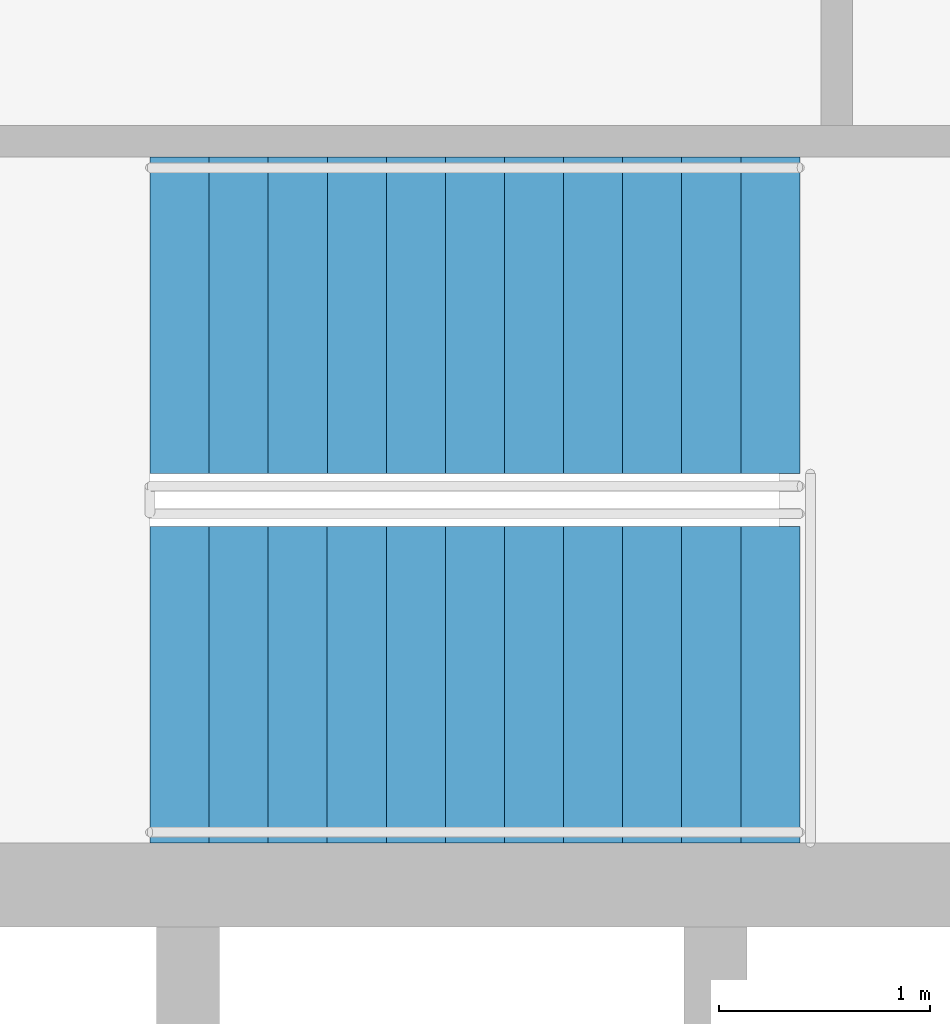
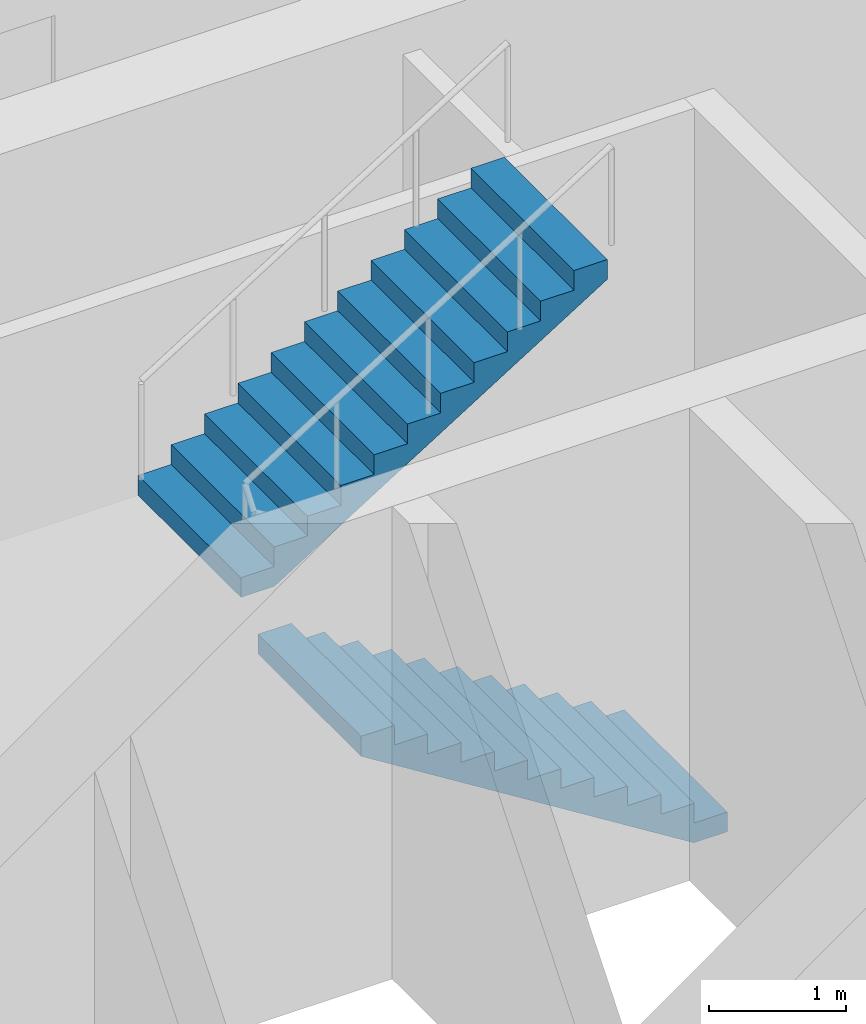
# One storey, part 8 of 11: 2 stair flights, 1 element without a shape of its own.
"""IFC4 building model written with IfcOpenShell, lengths in metres."""

from ifc_helpers import new_model, si_unit, direction, frame, origin, place, context, subcontext, project, spatial, polyline, outline, extrude, material, type_object, element, aggregate, save


model = new_model("IFC4")

# Units and contexts
model_context = context("Model", 3, precision=1e-05, world=origin(), true_north=direction((0.0, 1.0)))
body_context = subcontext(model_context, "Body", "Model", "MODEL_VIEW")
ifc_project = project(units=[si_unit("LENGTHUNIT", "METRE"), si_unit("AREAUNIT", "SQUARE_METRE"), si_unit("VOLUMEUNIT", "CUBIC_METRE"), si_unit("PLANEANGLEUNIT", "RADIAN"), si_unit("MASSUNIT", "GRAM", prefix="KILO")], contexts=[model_context])

# Site, building, storey
site_placement = place(None, origin())
site = spatial("IfcSite", under=ifc_project, at=site_placement, CompositionType="ELEMENT")
building_placement = place(site_placement, origin())
building = spatial("IfcBuilding", under=site, at=building_placement, Name="Halqa Exchange Tower", CompositionType="ELEMENT")
storey_placement = place(building_placement, frame((0.0, 0.0, 78.10009765625)))
storey = spatial("IfcBuildingStorey", under=building, at=storey_placement, Name="L17", CompositionType="ELEMENT", Elevation=78.10009765625)

# Stair, stair flights
ifc_material = material(Name="Concrete C30/37", Category="concrete")
stair_type = type_object("IfcStairType", Name="Exit stair 1500 wide", PredefinedType="HALF_TURN_STAIR", material=ifc_material)
stair_placement = place(storey_placement, origin())
stair = element("IfcStair", 1, at=stair_placement, inside=storey, type_object=stair_type, Name="Exit stair ST2", PredefinedType="HALF_TURN_STAIR")
stair_flight_type = type_object("IfcStairFlightType", Name="Stair flight 1500 wide", PredefinedType="STRAIGHT", material=ifc_material)
stair_flight_1_placement = place(storey_placement, frame((6.64990234375, 7.25, 0.0), z_axis=(0.0, 0.0, 1.0), x_axis=(-1.0, 0.0, 0.0)))
stair_flight_1 = element("IfcStairFlight", 2, at=stair_flight_1_placement, type_object=stair_flight_type, Name="ST2 flight 1", NumberOfRisers=12, NumberOfTreads=11, PredefinedType="STRAIGHT", RiserHeight=0.175, TreadLength=0.28, context=body_context, shape_type="SweptSolid", body=[
    extrude(outline(polyline([(0.0, 0.0), (0.0, 0.175048828125), (0.280029296875, 0.175048828125), (0.280029296875, 0.35009765625), (0.56005859375, 0.35009765625), (0.56005859375, 0.52490234375), (0.840087890625, 0.52490234375), (0.840087890625, 0.699951171875), (1.1201171875, 0.699951171875), (1.1201171875, 0.875), (1.39990234375, 0.875), (1.39990234375, 1.050048828125), (1.679931640625, 1.050048828125), (1.679931640625, 1.22509765625), (1.9599609375, 1.22509765625), (1.9599609375, 1.39990234375), (2.239990234375, 1.39990234375), (2.239990234375, 1.574951171875), (2.52001953125, 1.574951171875), (2.52001953125, 1.75), (2.800048828125, 1.75), (2.800048828125, 1.925048828125), (3.080078125, 1.925048828125), (3.080078125, 2.10009765625), (3.080078125, 1.748291015625), (0.28271484375, 0.0), (0.0, 0.0)])), frame((0.0, 0.75, 0.0), z_axis=(0.0, -1.0, 0.0), x_axis=(1.0, 0.0, 0.0)), (0.0, 0.0, 1.0), 1.5),
])
stair_flight_2_placement = place(storey_placement, frame((3.570068359375, 9.0, 2.099853515625), z_axis=(0.0, 0.0, 1.0), x_axis=(1.0, 0.0, 0.0)))
stair_flight_2 = element("IfcStairFlight", 3, at=stair_flight_2_placement, type_object=stair_flight_type, Name="ST2 flight 2", NumberOfRisers=12, NumberOfTreads=11, PredefinedType="STRAIGHT", RiserHeight=0.175, TreadLength=0.28, context=body_context, shape_type="SweptSolid", body=[
    extrude(outline(polyline([(0.0, 0.0), (0.0, 0.175048828125), (0.280029296875, 0.175048828125), (0.280029296875, 0.35009765625), (0.56005859375, 0.35009765625), (0.56005859375, 0.52490234375), (0.840087890625, 0.52490234375), (0.840087890625, 0.699951171875), (1.1201171875, 0.699951171875), (1.1201171875, 0.875), (1.39990234375, 0.875), (1.39990234375, 1.050048828125), (1.679931640625, 1.050048828125), (1.679931640625, 1.22509765625), (1.9599609375, 1.22509765625), (1.9599609375, 1.39990234375), (2.239990234375, 1.39990234375), (2.239990234375, 1.574951171875), (2.52001953125, 1.574951171875), (2.52001953125, 1.75), (2.800048828125, 1.75), (2.800048828125, 1.925048828125), (3.080078125, 1.925048828125), (3.080078125, 2.10009765625), (3.080078125, 1.748291015625), (0.28271484375, 0.0), (0.0, 0.0)])), frame((0.0, 0.75, 0.0), z_axis=(0.0, -1.0, 0.0), x_axis=(1.0, 0.0, 0.0)), (0.0, 0.0, 1.0), 1.5),
])
aggregate(stair, [stair_flight_1, stair_flight_2])

save(model, "model.ifc")
